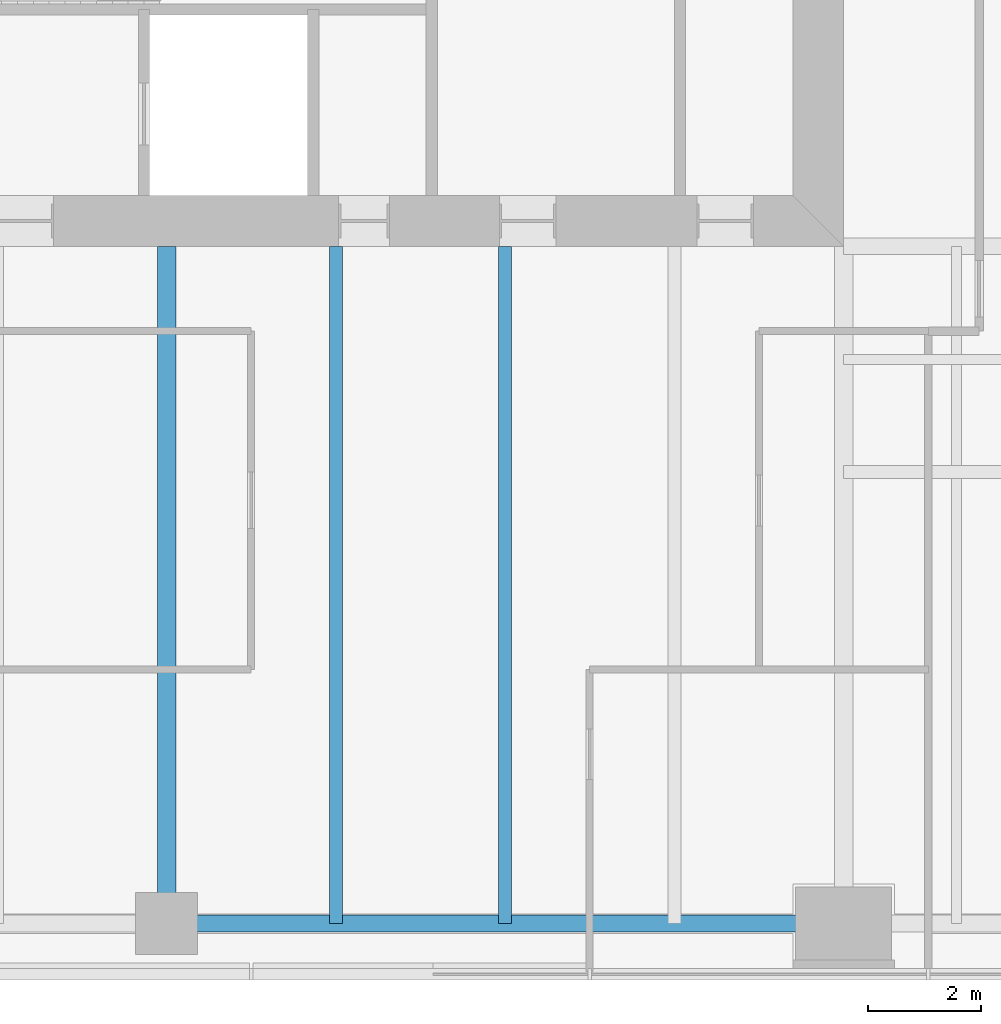
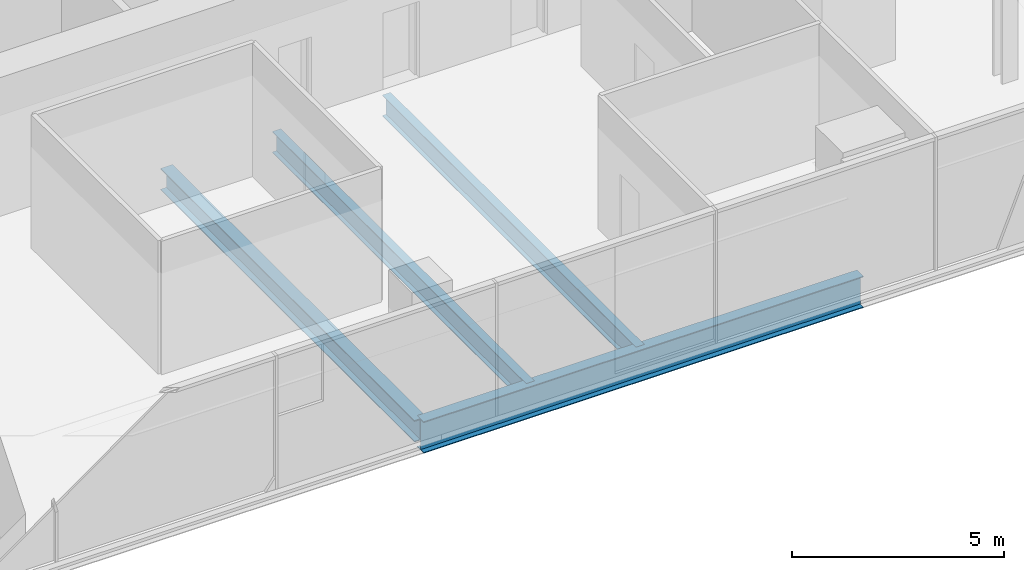
# One storey, part 3 of 16: 4 beams.
"""IFC4 building model written with IfcOpenShell, lengths in metres."""

from ifc_helpers import new_model, si_unit, direction, frame, origin, origin_2d, place, context, subcontext, project, spatial, i_section, extrude, material, material_profile, profile_set, type_object, element, save


model = new_model("IFC4")

# Units and contexts
model_context = context("Model", 3, precision=1e-05, world=origin(), true_north=direction((0.0, 1.0)))
body_context = subcontext(model_context, "Body", "Model", "MODEL_VIEW")
ifc_project = project(units=[si_unit("LENGTHUNIT", "METRE"), si_unit("AREAUNIT", "SQUARE_METRE"), si_unit("VOLUMEUNIT", "CUBIC_METRE"), si_unit("PLANEANGLEUNIT", "RADIAN"), si_unit("MASSUNIT", "GRAM", prefix="KILO")], contexts=[model_context])

# Site, building, storey
site_placement = place(None, origin())
site = spatial("IfcSite", under=ifc_project, at=site_placement, CompositionType="ELEMENT")
building_placement = place(site_placement, origin())
building = spatial("IfcBuilding", under=site, at=building_placement, Name="Fenwick Lantern Interchange", CompositionType="ELEMENT")
storey_placement = place(building_placement, frame((0.0, 0.0, 213.800048828125)))
storey = spatial("IfcBuildingStorey", under=building, at=storey_placement, Name="L50", CompositionType="ELEMENT", Elevation=213.800048828125)

# Beams
ifc_material = material(Name="Steel ASTM A992 Grade 50", Category="steel")
ifc_material_profile_1 = material_profile(ifc_material, i_section(OverallWidth=0.3046875, OverallDepth=0.911865234375, WebThickness=0.015869140625, FlangeThickness=0.02392578125, at=origin_2d()), Name="W36X150")
ifc_profile_set_1 = profile_set([ifc_material_profile_1], Name="Steel ASTM A992 Grade 50")
beam_type_1 = type_object("IfcBeamType", Name="EDGE BEAM W36X150", PredefinedType="SPANDREL", material=ifc_profile_set_1)
beam_1_placement = place(storey_placement, frame((25.0, 1.0, -0.60595703125), z_axis=(1.0, 0.0, 0.0), x_axis=(0.0, 1.0, 0.0)))
element("IfcBeam", 1, at=beam_1_placement, inside=storey, type_object=beam_type_1, Name="L50/FR/S/EB3", PredefinedType="SPANDREL", context=body_context, shape_type="SweptSolid", body=[
    extrude(i_section(OverallWidth=0.3046875, OverallDepth=0.911865234375, WebThickness=0.015869140625, FlangeThickness=0.02392578125, at=origin_2d()), origin(), (0.0, 0.0, 1.0), 12.0),
])
ifc_material_profile_2 = material_profile(ifc_material, i_section(OverallWidth=0.22900390625, OverallDepth=0.612060546875, WebThickness=0.011962890625, FlangeThickness=0.01953125, at=origin_2d()), Name="W24X84")
ifc_profile_set_2 = profile_set([ifc_material_profile_2], Name="Steel ASTM A992 Grade 50")
beam_type_2 = type_object("IfcBeamType", Name="FLOOR BEAM W24X84", PredefinedType="BEAM", material=ifc_profile_set_2)
for number, where, z_axis, x_axis, name in (
    (2, (28.0, 1.0, -0.4560546875), (0.0, 1.0, 0.0), (-1.0, 0.0, 0.0), "L50/FR/S/R06"),
    (3, (31.0, 1.0, -0.4560546875), (0.0, 1.0, 0.0), (-1.0, 0.0, 0.0), "L50/FR/S/R07"),
):
    element("IfcBeam", number, at=place(storey_placement, frame(where, z_axis=z_axis, x_axis=x_axis)), inside=storey, type_object=beam_type_2, Name=name, PredefinedType="BEAM", context=body_context, shape_type="SweptSolid", body=[
        extrude(i_section(OverallWidth=0.22900390625, OverallDepth=0.612060546875, WebThickness=0.011962890625, FlangeThickness=0.01953125, at=origin_2d()), origin(), (0.0, 0.0, 1.0), 12.0),
    ])
ifc_material_profile_3 = material_profile(ifc_material, i_section(OverallWidth=0.32763671875, OverallDepth=0.622314453125, WebThickness=0.015380859375, FlangeThickness=0.0244140625, at=origin_2d()), Name="W24X131")
ifc_profile_set_3 = profile_set([ifc_material_profile_3], Name="Steel ASTM A992 Grade 50")
beam_type_3 = type_object("IfcBeamType", Name="MOMENT-CONNECTED GIRDER W24X131", PredefinedType="BEAM", material=ifc_profile_set_3)
beam_2_placement = place(storey_placement, frame((25.0, 1.0, -0.461181640625), z_axis=(0.0, 1.0, 0.0), x_axis=(-1.0, 0.0, 0.0)))
element("IfcBeam", 4, at=beam_2_placement, inside=storey, type_object=beam_type_3, Name="L50/FR/S/R05", PredefinedType="BEAM", context=body_context, shape_type="SweptSolid", body=[
    extrude(i_section(OverallWidth=0.32763671875, OverallDepth=0.622314453125, WebThickness=0.015380859375, FlangeThickness=0.0244140625, at=origin_2d()), origin(), (0.0, 0.0, 1.0), 12.0),
])

save(model, "model.ifc")
